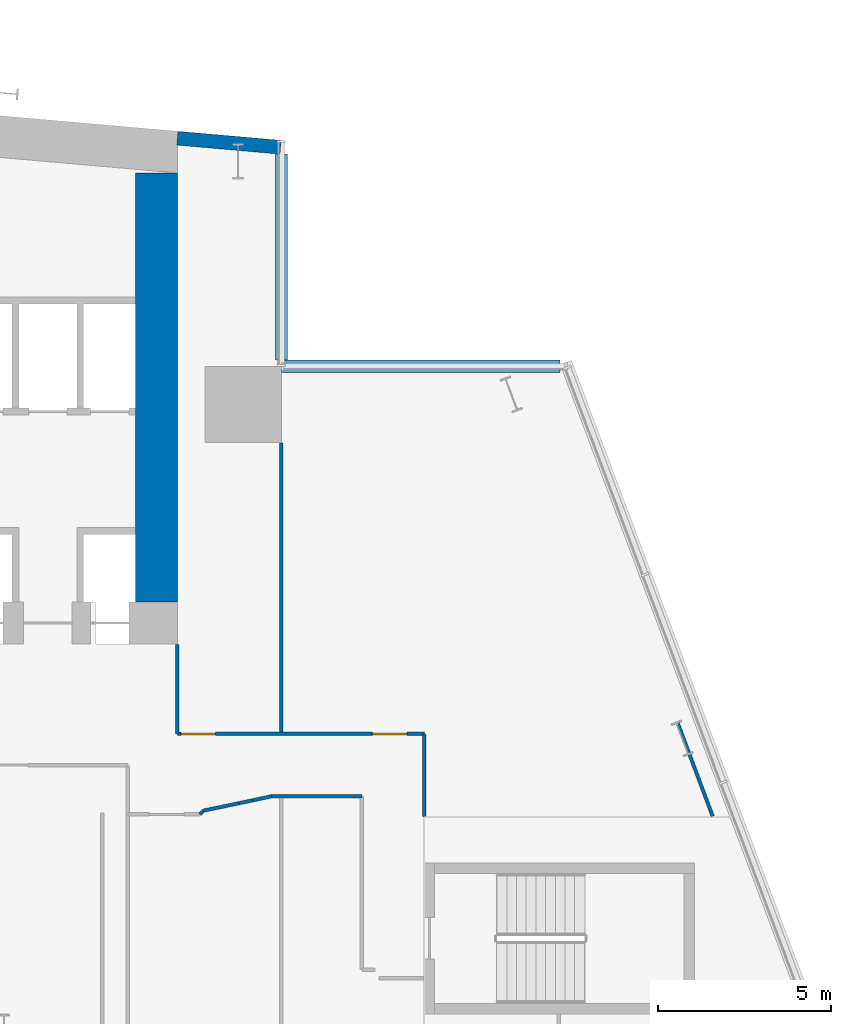
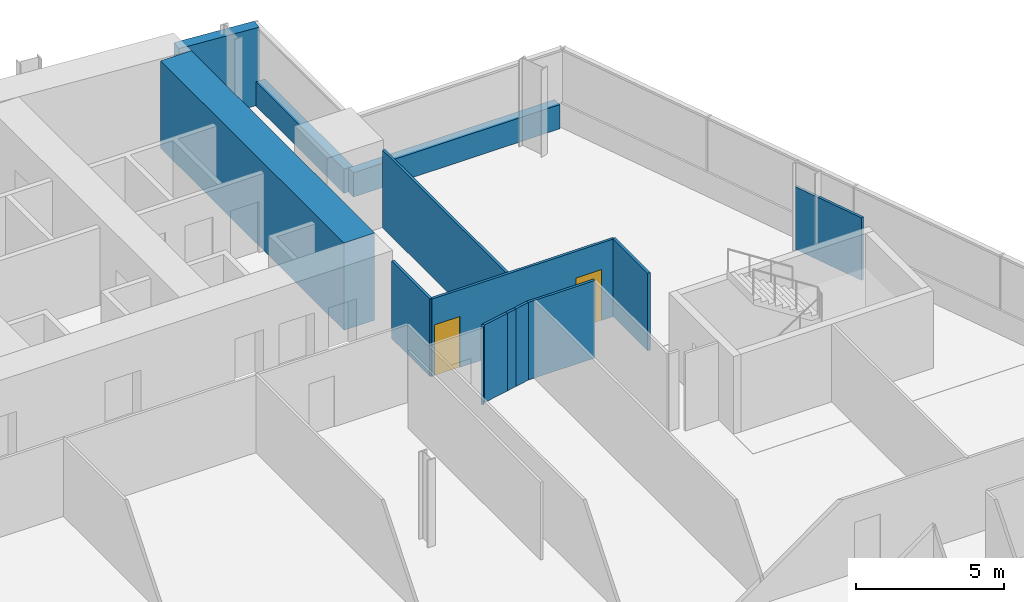
# One storey, part 19 of 24: 14 walls, 2 doors, 2 openings.
"""IFC4 building model written with IfcOpenShell, lengths in metres."""

import ifcopenshell
import ifcopenshell.guid

model = None  # the IFC model being written
_history = None  # IfcOwnerHistory: only IFC2X3 demands one
_inside = {}  # id of a spatial element -> (the spatial element, [elements in it])
_under = {}  # id of a project, library or spatial element -> (it, [spatial elements below it])
_declared = {}  # id of a project -> (the project, [libraries it declares])
_typed = {}  # id of a type object -> (the type object, [elements of that type])
_made_of = {}  # id of a material, layer set ... -> (it, [elements and type objects made of it])


def new_model(schema):
    """Start an empty IFC model of exactly this schema.

    Asked for "IFC4X3", IfcOpenShell would pick the latest addendum, in which some entities
    have other attributes; the version numbers below select the first issue.
    IFC2X3 requires an IfcOwnerHistory on every rooted entity: one is made here for all.
    """
    global model, _history
    if schema == "IFC4X3":
        model = ifcopenshell.file(schema_version=(4, 3, 0, 0))
    else:
        model = ifcopenshell.file(schema=schema)
    _inside.clear()
    _under.clear()
    _declared.clear()
    _typed.clear()
    _made_of.clear()
    _history = None
    if model.schema == "IFC2X3":
        org = make("IfcOrganization", Name="unknown")
        user = make(
            "IfcPersonAndOrganization",
            ThePerson=make("IfcPerson", FamilyName="unknown"),
            TheOrganization=org,
        )
        app = make(
            "IfcApplication",
            ApplicationDeveloper=org,
            Version="unknown",
            ApplicationFullName="unknown",
            ApplicationIdentifier="unknown",
        )
        _history = make(
            "IfcOwnerHistory",
            OwningUser=user,
            OwningApplication=app,
            ChangeAction="ADDED",
            CreationDate=0,
        )
    return model


def make(cls, **values):
    """One entity of the class cls with the attributes given. An attribute that is None is left unset."""
    return model.create_entity(
        cls, **{name: value for name, value in values.items() if value is not None}
    )


def rooted(cls, **values):
    """An entity with a GlobalId (a new one), such as an element, a storey or a relation."""
    return make(cls, GlobalId=ifcopenshell.guid.new(), OwnerHistory=_history, **values)


def si_unit(unit_type, name, prefix=None):
    """IfcSIUnit, for example si_unit("LENGTHUNIT", "METRE", prefix="MILLI")."""
    return make("IfcSIUnit", UnitType=unit_type, Prefix=prefix, Name=name)


def assignment(units):
    """IfcUnitAssignment: the units of a project."""
    return None if units is None else make("IfcUnitAssignment", Units=units)


def point(xyz):
    """IfcCartesianPoint."""
    return None if xyz is None else make("IfcCartesianPoint", Coordinates=xyz)


def direction(xyz):
    """IfcDirection."""
    return None if xyz is None else make("IfcDirection", DirectionRatios=xyz)


def frame(location, z_axis=None, x_axis=None):
    """IfcAxis2Placement3D, a coordinate frame: its origin and axes. An axis left out is left unset."""
    return make(
        "IfcAxis2Placement3D",
        Location=point(location),
        Axis=direction(z_axis),
        RefDirection=direction(x_axis),
    )


def frame_2d(location, x_axis=None):
    """IfcAxis2Placement2D, a coordinate frame in the plane: its origin and x axis."""
    return make(
        "IfcAxis2Placement2D", Location=point(location), RefDirection=direction(x_axis)
    )


def origin():
    """The frame at (0, 0, 0) with its axes left unset."""
    return frame((0.0, 0.0, 0.0))


def place(relative_to, where):
    """IfcLocalPlacement: puts the frame where relative to a parent placement (None: the world)."""
    return make(
        "IfcLocalPlacement", PlacementRelTo=relative_to, RelativePlacement=where
    )


def context(
    kind, dimensions, precision=None, world=None, true_north=None, identifier=None
):
    """IfcGeometricRepresentationContext, for example the 3D "Model" context."""
    return make(
        "IfcGeometricRepresentationContext",
        ContextIdentifier=identifier,
        ContextType=kind,
        CoordinateSpaceDimension=dimensions,
        Precision=precision,
        WorldCoordinateSystem=world,
        TrueNorth=true_north,
    )


def subcontext(parent, identifier, kind, view, scale=None):
    """IfcGeometricRepresentationSubContext, for example "Body" below "Model"."""
    return make(
        "IfcGeometricRepresentationSubContext",
        ContextIdentifier=identifier,
        ContextType=kind,
        ParentContext=parent,
        TargetScale=scale,
        TargetView=view,
    )


def project(units=None, contexts=None):
    """IfcProject with its units and contexts."""
    return rooted(
        "IfcProject",
        Name="project",
        RepresentationContexts=contexts,
        UnitsInContext=assignment(units),
    )


def spatial(cls, under=None, at=None, **own):
    """A site, building, storey or space (cls), placed at a placement, below another one or the project."""
    s = rooted(cls, ObjectPlacement=at, **own)
    if under is not None:
        _under.setdefault(under.id(), (under, []))[1].append(s)
    return s


def profile(cls, at=None, kind="AREA", **sizes):
    """A parametric profile (cls). Its sizes go by their IFC names, for example OverallWidth=200.0."""
    return make(cls, ProfileType=kind, Position=at, **sizes)


def rectangle(**sizes):
    """IfcRectangleProfileDef."""
    return profile("IfcRectangleProfileDef", **sizes)


def extrude(swept, where, along, depth):
    """IfcExtrudedAreaSolid: the profile swept, set in the frame where, extruded along a direction by depth."""
    return make(
        "IfcExtrudedAreaSolid",
        SweptArea=swept,
        Position=where,
        ExtrudedDirection=direction(along),
        Depth=depth,
    )


def shape(context_of_items, identifier, shape_type, items):
    """IfcShapeRepresentation: the items that make up one representation, for example the "Body"."""
    return make(
        "IfcShapeRepresentation",
        ContextOfItems=context_of_items,
        RepresentationIdentifier=identifier,
        RepresentationType=shape_type,
        Items=items,
    )


def material(Name=None, Category=None):
    """IfcMaterial."""
    return make("IfcMaterial", Name=Name, Category=Category)


def layer(
    of_material, thickness, ventilated=None, Name=None, Category=None, Priority=None
):
    """IfcMaterialLayer: one layer of a wall or slab, of a material (None: an air gap)."""
    return make(
        "IfcMaterialLayer",
        Material=of_material,
        LayerThickness=thickness,
        IsVentilated=ventilated,
        Name=Name,
        Category=Category,
        Priority=Priority,
    )


def layer_set(layers, Name=None):
    """IfcMaterialLayerSet."""
    return make("IfcMaterialLayerSet", MaterialLayers=layers, LayerSetName=Name)


def made_of(thing, what):
    """Note that an element or type object is made of a material, layer set ...; save() writes the relation."""
    if what is not None:
        _made_of.setdefault(what.id(), (what, []))[1].append(thing)
    return thing


def type_object(cls, material=None, **own):
    """A type object (cls), such as IfcWallType, which elements share."""
    return made_of(rooted(cls, **own), material)


def element(
    cls,
    number,
    at=None,
    inside=None,
    cuts=None,
    type_object=None,
    material=None,
    context=None,
    identifier="Body",
    shape_type=None,
    held_by="IfcProductDefinitionShape",
    body=None,
    shapes=None,
    **own,
):
    """One element of the class cls, such as IfcWall. Its Tag is "e" and its number.

    at: its placement. inside: the storey or other place that contains it. cuts: it is an
    opening in that element (IfcRelVoidsElement). A single representation is given by context,
    identifier, shape_type and body (its items); several are given by shapes. held_by: the class
    of the entity that holds the representations. save() writes the other relations.
    """
    e = rooted(cls, Tag="e%d" % number, ObjectPlacement=at, **own)
    if body is not None:
        shapes = [shape(context, identifier, shape_type, body)]
    if shapes is not None:
        e.Representation = make(held_by, Representations=shapes)
    if inside is not None:
        _inside.setdefault(inside.id(), (inside, []))[1].append(e)
    if cuts is not None:
        rooted(
            "IfcRelVoidsElement", RelatingBuildingElement=cuts, RelatedOpeningElement=e
        )
    if type_object is not None:
        _typed.setdefault(type_object.id(), (type_object, []))[1].append(e)
    return made_of(e, material)


def fill(opening, filler):
    """IfcRelFillsElement: the door or window that sits in an opening."""
    return rooted(
        "IfcRelFillsElement",
        RelatingOpeningElement=opening,
        RelatedBuildingElement=filler,
    )


def aggregate(whole, parts):
    """IfcRelAggregates: a whole, such as a stair, and the parts it consists of."""
    return rooted("IfcRelAggregates", RelatingObject=whole, RelatedObjects=parts)


def save(model, path):
    """Write the relations noted so far, then the file.

    IfcRelAggregates (storeys below a building ...), IfcRelContainedInSpatialStructure (elements
    in a storey), IfcRelDefinesByType, IfcRelAssociatesMaterial and IfcRelDeclares: one each for
    every whole, place, type object, material and project.
    """
    for whole, parts in _under.values():
        aggregate(whole, parts)
    for where, things in _inside.values():
        rooted(
            "IfcRelContainedInSpatialStructure",
            RelatedElements=things,
            RelatingStructure=where,
        )
    for kind, things in _typed.values():
        rooted("IfcRelDefinesByType", RelatedObjects=things, RelatingType=kind)
    for what, things in _made_of.values():
        rooted("IfcRelAssociatesMaterial", RelatedObjects=things, RelatingMaterial=what)
    for by, libraries in _declared.values():
        rooted("IfcRelDeclares", RelatingContext=by, RelatedDefinitions=libraries)
    model.write(path)


model = new_model("IFC4")

# Units and contexts
model_context = context("Model", 3, precision=1e-05, world=origin(), true_north=direction((0.0, 1.0)))
body_context = subcontext(model_context, "Body", "Model", "MODEL_VIEW")
ifc_project = project(units=[si_unit("LENGTHUNIT", "METRE"), si_unit("AREAUNIT", "SQUARE_METRE"), si_unit("VOLUMEUNIT", "CUBIC_METRE"), si_unit("PLANEANGLEUNIT", "RADIAN"), si_unit("MASSUNIT", "GRAM", prefix="KILO")], contexts=[model_context])

# Site, building, storey
site_placement = place(None, origin())
site = spatial("IfcSite", under=ifc_project, at=site_placement, CompositionType="ELEMENT")
building_placement = place(site_placement, origin())
building = spatial("IfcBuilding", under=site, at=building_placement, Name="Wharfspan Tower", CompositionType="ELEMENT")
storey_placement = place(building_placement, frame((0.0, 0.0, 41.5)))
storey = spatial("IfcBuildingStorey", under=building, at=storey_placement, Name="L06", CompositionType="ELEMENT", Elevation=41.5)

# Wall
ifc_material_1 = material(Name="Gypsum board on steel studs", Category="steel")
ifc_layer_1 = layer(ifc_material_1, 0.100098)
ifc_layer_set_1 = layer_set([ifc_layer_1], Name="Gypsum board on steel studs")
wall_type_1 = type_object("IfcWallType", Name="Compartment wall 100 EI 60", PredefinedType="PARTITIONING", material=ifc_layer_set_1)
wall_1_placement = place(storey_placement, frame((65.0, 31.399902, 0.0), z_axis=(0.0, 0.0, 1.0), x_axis=(0.0, 1.0, 0.0)))
element("IfcWall", 1, at=wall_1_placement, inside=storey, type_object=wall_type_1, Name="Partition L06.w050", PredefinedType="PARTITIONING", context=body_context, shape_type="SweptSolid", body=[
    extrude(rectangle(XDim=2.580078, YDim=0.100098, at=frame_2d((1.290039, 0.0))), origin(), (0.0, 0.0, 1.0), 3.199951),
])

# Wall, openings, doors
wall_2_placement = place(storey_placement, frame((65.0, 31.399902, 0.0), z_axis=(0.0, 0.0, 1.0), x_axis=(1.0, 0.0, 0.0)))
wall_2 = element("IfcWall", 2, at=wall_2_placement, inside=storey, type_object=wall_type_1, Name="Partition L06.w051", PredefinedType="PARTITIONING", context=body_context, shape_type="SweptSolid", body=[
    extrude(rectangle(XDim=7.125, YDim=0.100098, at=frame_2d((3.5625, 0.0))), origin(), (0.0, 0.0, 1.0), 3.199951),
])
opening_1_placement = place(wall_2_placement, frame((0.100098, 0.0, 0.0)))
opening_1 = element("IfcOpeningElement", 3, at=opening_1_placement, cuts=wall_2, Name="Opening A1-30", PredefinedType="OPENING", context=body_context, shape_type="SweptSolid", body=[
    extrude(rectangle(XDim=1.0, YDim=2.100098, at=frame_2d((0.5, 1.050049))), frame((0.0, 0.060059, 0.0), z_axis=(0.0, -1.0, 0.0), x_axis=(1.0, 0.0, 0.0)), (0.0, 0.0, 1.0), 0.120117),
])
opening_2_placement = place(wall_2_placement, frame((5.625, 0.0, 0.0)))
opening_2 = element("IfcOpeningElement", 4, at=opening_2_placement, cuts=wall_2, Name="Opening A1-31", PredefinedType="OPENING", context=body_context, shape_type="SweptSolid", body=[
    extrude(rectangle(XDim=1.0, YDim=2.100098, at=frame_2d((0.5, 1.050049))), frame((0.0, 0.060059, 0.0), z_axis=(0.0, -1.0, 0.0), x_axis=(1.0, 0.0, 0.0)), (0.0, 0.0, 1.0), 0.120117),
])
ifc_material_2 = material(Name="Fire-rated timber door leaf in steel frame", Category="steel")
door_type_1 = type_object("IfcDoorType", Name="Door 1000 FD30S Left", OperationType="SINGLE_SWING_LEFT", PredefinedType="DOOR", material=ifc_material_2)
door_1_placement = place(opening_1_placement, origin())
door_1 = element("IfcDoor", 5, at=door_1_placement, inside=storey, type_object=door_type_1, Name="Door A1-30", OperationType="SINGLE_SWING_LEFT", OverallHeight=2.100098, OverallWidth=1.0, PredefinedType="DOOR", context=body_context, shape_type="SweptSolid", body=[
    extrude(rectangle(XDim=1.0, YDim=2.100098, at=frame_2d((0.5, 1.050049))), frame((0.0, 0.024902, 0.0), z_axis=(0.0, -1.0, 0.0), x_axis=(1.0, 0.0, 0.0)), (0.0, 0.0, 1.0), 0.050049),
])
fill(opening_1, door_1)
door_type_2 = type_object("IfcDoorType", Name="Door 1000 FD30S Right", OperationType="SINGLE_SWING_RIGHT", PredefinedType="DOOR", material=ifc_material_2)
door_2_placement = place(opening_2_placement, origin())
door_2 = element("IfcDoor", 6, at=door_2_placement, inside=storey, type_object=door_type_2, Name="Door A1-31", OperationType="SINGLE_SWING_RIGHT", OverallHeight=2.100098, OverallWidth=1.0, PredefinedType="DOOR", context=body_context, shape_type="SweptSolid", body=[
    extrude(rectangle(XDim=1.0, YDim=2.100098, at=frame_2d((0.5, 1.050049))), frame((0.0, 0.024902, 0.0), z_axis=(0.0, -1.0, 0.0), x_axis=(1.0, 0.0, 0.0)), (0.0, 0.0, 1.0), 0.050049),
])
fill(opening_2, door_2)

# Walls
wall_3_placement = place(storey_placement, frame((65.655029, 29.074951, 0.0), z_axis=(0.0, 0.0, 1.0), x_axis=(0.671773, 0.740757, 0.0)))
element("IfcWall", 7, at=wall_3_placement, inside=storey, type_object=wall_type_1, Name="Partition L06.w052", PredefinedType="PARTITIONING", context=body_context, shape_type="SweptSolid", body=[
    extrude(rectangle(XDim=0.148682, YDim=0.100098, at=frame_2d((0.074219, 0.0))), origin(), (0.0, 0.0, 1.0), 3.199951),
])
wall_4_placement = place(storey_placement, frame((65.754883, 29.185059, 0.0), z_axis=(0.0, 0.0, 1.0), x_axis=(0.978739, 0.205118, 0.0)))
element("IfcWall", 8, at=wall_4_placement, inside=storey, type_object=wall_type_1, Name="Partition L06.w053", PredefinedType="PARTITIONING", context=body_context, shape_type="SweptSolid", body=[
    extrude(rectangle(XDim=1.047363, YDim=0.100098, at=frame_2d((0.523682, 0.0))), origin(), (0.0, 0.0, 1.0), 3.199951),
])
wall_5_placement = place(storey_placement, frame((66.780029, 29.399902, 0.0), z_axis=(0.0, 0.0, 1.0), x_axis=(0.979048, 0.203632, 0.0)))
element("IfcWall", 9, at=wall_5_placement, inside=storey, type_object=wall_type_1, Name="Partition L06.w054", PredefinedType="PARTITIONING", context=body_context, shape_type="SweptSolid", body=[
    extrude(rectangle(XDim=0.393311, YDim=0.100098, at=frame_2d((0.196777, 0.0))), origin(), (0.0, 0.0, 1.0), 3.199951),
])
wall_6_placement = place(storey_placement, frame((67.165039, 29.47998, 0.0), z_axis=(0.0, 0.0, 1.0), x_axis=(0.977367, 0.211555, 0.0)))
element("IfcWall", 10, at=wall_6_placement, inside=storey, type_object=wall_type_1, Name="Partition L06.w055", PredefinedType="PARTITIONING", context=body_context, shape_type="SweptSolid", body=[
    extrude(rectangle(XDim=0.567871, YDim=0.100098, at=frame_2d((0.283936, 0.0))), origin(), (0.0, 0.0, 1.0), 3.199951),
])
wall_7_placement = place(storey_placement, frame((67.719971, 29.600098, 0.0), z_axis=(0.0, 0.0, 1.0), x_axis=(1.0, 0.0, 0.0)))
element("IfcWall", 11, at=wall_7_placement, inside=storey, type_object=wall_type_1, Name="Partition L06.w056", PredefinedType="PARTITIONING", context=body_context, shape_type="SweptSolid", body=[
    extrude(rectangle(XDim=2.60498, YDim=0.100098, at=frame_2d((1.30249, 0.0))), origin(), (0.0, 0.0, 1.0), 3.199951),
])
wall_8_placement = place(storey_placement, frame((68.0, 31.399902, 0.0), z_axis=(0.0, 0.0, 1.0), x_axis=(0.0, 1.0, 0.0)))
element("IfcWall", 12, at=wall_8_placement, inside=storey, type_object=wall_type_1, Name="Partition L06.w058", PredefinedType="PARTITIONING", context=body_context, shape_type="SweptSolid", body=[
    extrude(rectangle(XDim=8.390137, YDim=0.100098, at=frame_2d((4.195068, 0.0))), origin(), (0.0, 0.0, 1.0), 3.199951),
])
wall_9_placement = place(storey_placement, frame((72.125, 29.02002, 0.0), z_axis=(0.0, 0.0, 1.0), x_axis=(0.0, 1.0, 0.0)))
element("IfcWall", 13, at=wall_9_placement, inside=storey, type_object=wall_type_1, Name="Partition L06.w064", PredefinedType="PARTITIONING", context=body_context, shape_type="SweptSolid", body=[
    extrude(rectangle(XDim=2.379883, YDim=0.100098, at=frame_2d((1.189941, 0.0))), origin(), (0.0, 0.0, 1.0), 3.199951),
])
ifc_material_3 = material(Name="Concrete C70/85", Category="concrete")
ifc_layer_2 = layer(ifc_material_3, 1.199951)
ifc_layer_set_2 = layer_set([ifc_layer_2], Name="Concrete C70/85")
wall_type_2 = type_object("IfcWallType", Name="Core wall 1200 C70/85", PredefinedType="SHEAR", material=ifc_layer_set_2)
wall_10_placement = place(storey_placement, frame((64.399902, 35.199951, 0.0), z_axis=(0.0, 0.0, 1.0), x_axis=(0.0, 1.0, 0.0)))
element("IfcWall", 14, at=wall_10_placement, inside=storey, type_object=wall_type_2, Name="Core cross wall EW1 L06", PredefinedType="SHEAR", context=body_context, shape_type="SweptSolid", body=[
    extrude(rectangle(XDim=12.382812, YDim=1.199951, at=frame_2d((6.191406, 0.0))), origin(), (0.0, 0.0, 1.0), 3.600098),
])
ifc_layer_3 = layer(ifc_material_1, 0.100098)
ifc_layer_set_3 = layer_set([ifc_layer_3], Name="Gypsum board on steel studs")
wall_type_3 = type_object("IfcWallType", Name="Partition 100", PredefinedType="PARTITIONING", material=ifc_layer_set_3)
wall_11_placement = place(storey_placement, frame((80.44751, 29.02002, 0.0), z_axis=(0.0, 0.0, 1.0), x_axis=(-0.35129, 0.93627, 0.0)))
element("IfcWall", 15, at=wall_11_placement, inside=storey, type_object=wall_type_3, Name="Partition L06.w071", PredefinedType="PARTITIONING", context=body_context, shape_type="SweptSolid", body=[
    extrude(rectangle(XDim=2.910645, YDim=0.100098, at=frame_2d((1.455322, 0.0))), origin(), (0.0, 0.0, 1.0), 2.580078),
])
ifc_material_4 = material(Name="Concrete C40/50", Category="concrete")
ifc_layer_4 = layer(ifc_material_4, 0.350098)
ifc_layer_set_4 = layer_set([ifc_layer_4], Name="Concrete C40/50")
wall_type_4 = type_object("IfcWallType", Name="SPANDREL EXPOSED CONCRETE 350", PredefinedType="SOLIDWALL", material=ifc_layer_set_4)
wall_12_placement = place(storey_placement, frame((76.047119, 42.004883, 0.0), z_axis=(0.0, 0.0, 1.0), x_axis=(-1.0, 0.0, 0.0)))
element("IfcWall", 16, at=wall_12_placement, inside=storey, type_object=wall_type_4, Name="Spandrel upstand L06 NRE-H", PredefinedType="SOLIDWALL", context=body_context, shape_type="SweptSolid", body=[
    extrude(rectangle(XDim=8.047119, YDim=0.350098, at=frame_2d((4.023438, 0.0))), origin(), (0.0, 0.0, 1.0), 1.0),
])
wall_13_placement = place(storey_placement, frame((68.004883, 42.179932, 0.0), z_axis=(0.0, 0.0, 1.0), x_axis=(0.0, 1.0, 0.0)))
element("IfcWall", 17, at=wall_13_placement, inside=storey, type_object=wall_type_4, Name="Spandrel upstand L06 NRE-V", PredefinedType="SOLIDWALL", context=body_context, shape_type="SweptSolid", body=[
    extrude(rectangle(XDim=5.946533, YDim=0.350098, at=frame_2d((2.973145, 0.0))), origin(), (0.0, 0.0, 1.0), 1.0),
])
ifc_layer_5 = layer(ifc_material_4, 0.399902)
ifc_layer_set_5 = layer_set([ifc_layer_5], Name="Concrete C40/50")
wall_type_5 = type_object("IfcWallType", Name="WALL EXPOSED CONCRETE 400", PredefinedType="SOLIDWALL", material=ifc_layer_set_5)
wall_14_placement = place(storey_placement, frame((67.982666, 48.325684, 0.0), z_axis=(0.0, 0.0, 1.0), x_axis=(-0.996194, 0.087168, 0.0)))
element("IfcWall", 18, at=wall_14_placement, inside=storey, type_object=wall_type_5, Name="Rear wall N2", PredefinedType="SOLIDWALL", context=body_context, shape_type="SweptSolid", body=[
    extrude(rectangle(XDim=2.994141, YDim=0.399902, at=frame_2d((1.49707, 0.0))), origin(), (0.0, 0.0, 1.0), 3.199951),
])

save(model, "model.ifc")
